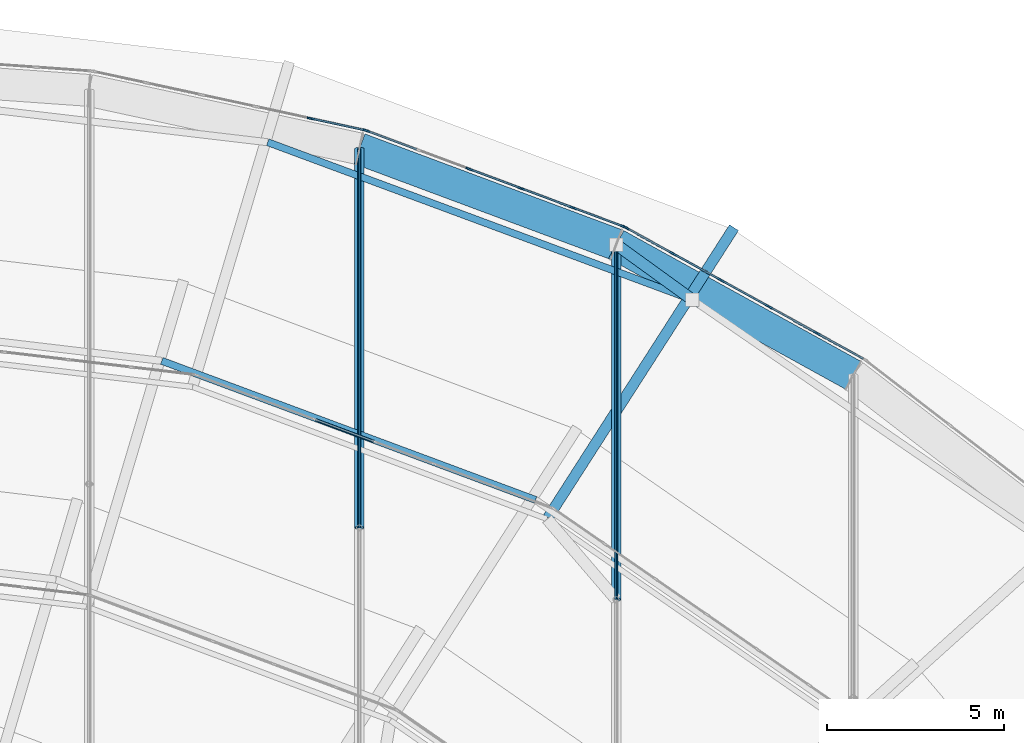
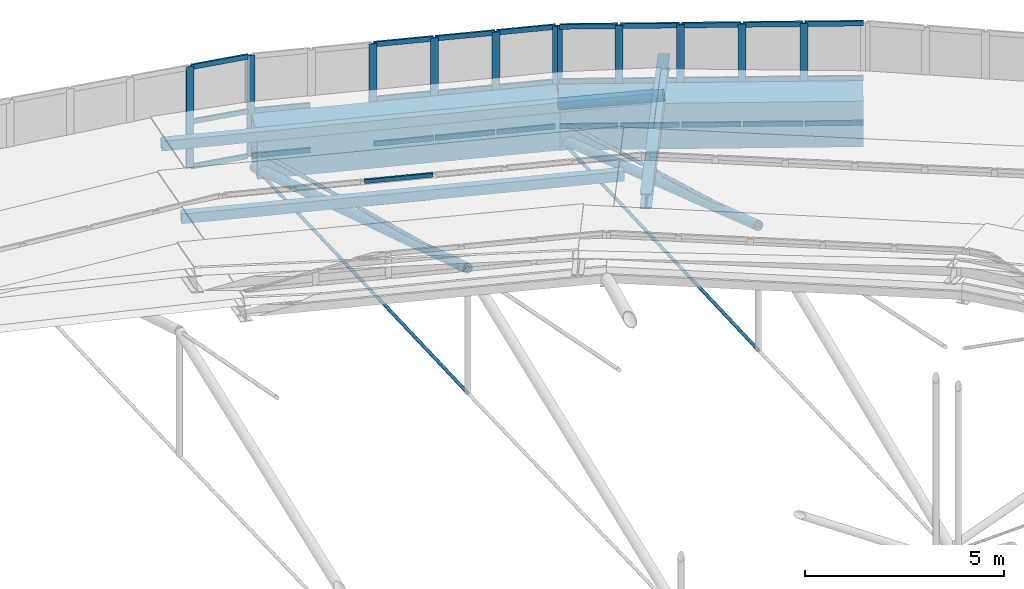
# One storey, part 122 of 173: 52 members, 2 beams, 4 elements without a shape of their own.
"""IFC4 building model written with IfcOpenShell, lengths in metres."""

from ifc_helpers import new_model, si_unit, direction, frame, origin, origin_2d, place, context, subcontext, project, spatial, rectangle, hollow_rectangle, circle, hollow_circle, i_section, extrude, material, material_profile, profile_set, type_object, element, aggregate, save


model = new_model("IFC4")

# Units and contexts
model_context = context("Model", 3, precision=1e-05, world=origin(), true_north=direction((0.0, 1.0)))
body_context = subcontext(model_context, "Body", "Model", "MODEL_VIEW")
ifc_project = project(units=[si_unit("LENGTHUNIT", "METRE"), si_unit("AREAUNIT", "SQUARE_METRE"), si_unit("VOLUMEUNIT", "CUBIC_METRE"), si_unit("PLANEANGLEUNIT", "RADIAN"), si_unit("MASSUNIT", "GRAM", prefix="KILO")], contexts=[model_context])

# Site, building, storey
site_placement = place(None, origin())
site = spatial("IfcSite", under=ifc_project, at=site_placement, CompositionType="ELEMENT")
building_placement = place(site_placement, origin())
building = spatial("IfcBuilding", under=site, at=building_placement, Name="Glasvene Arena", CompositionType="ELEMENT")
storey_placement = place(building_placement, frame((0.0, 0.0, 28.800048828125)))
storey = spatial("IfcBuildingStorey", under=building, at=storey_placement, Name="RF", CompositionType="ELEMENT", Elevation=28.800048828125)

# Beams
ifc_material_1 = material(Name="Steel S355J2", Category="steel")
ifc_material_profile_1 = material_profile(ifc_material_1, hollow_rectangle(XDim=0.89990234375, YDim=1.39990234375, WallThickness=0.034912109375, at=origin_2d()), Name="WBOX 900x1400x35")
ifc_profile_set_1 = profile_set([ifc_material_profile_1], Name="Steel S355J2")
beam_type = type_object("IfcBeamType", Name="BM-RING-BOX1400", PredefinedType="USERDEFINED", material=ifc_profile_set_1)
beam_1_placement = place(storey_placement, frame((121.389404296875, 109.40576171875, -0.699951171875), z_axis=(-0.875663430497, 0.482921894813, 0.0), x_axis=(-0.482921894813, -0.875663430497, 0.0)))
element("IfcBeam", 1, at=beam_1_placement, inside=storey, type_object=beam_type, Name="Compression ring beam chord RB-07", ObjectType="RING BEAM", PredefinedType="USERDEFINED", context=body_context, shape_type="SweptSolid", body=[
    extrude(hollow_rectangle(XDim=0.89990234375, YDim=1.39990234375, WallThickness=0.034912109375, at=origin_2d()), origin(), (0.0, 0.0, 1.0), 7.639892578125),
])
beam_2_placement = place(storey_placement, frame((114.699462890625, 113.09521484375, -0.699951171875), z_axis=(-0.937003141372, 0.349320931321, 0.0), x_axis=(-0.349320931321, -0.937003141372, 0.0)))
element("IfcBeam", 2, at=beam_2_placement, inside=storey, type_object=beam_type, Name="Compression ring beam chord RB-08", ObjectType="RING BEAM", PredefinedType="USERDEFINED", context=body_context, shape_type="SweptSolid", body=[
    extrude(hollow_rectangle(XDim=0.89990234375, YDim=1.39990234375, WallThickness=0.034912109375, at=origin_2d()), origin(), (0.0, 0.0, 1.0), 7.736083984375),
])

# Curtain wall, members
ifc_material_2 = material(Name="Low-emissivity laminated double glazing", Category="glass")
curtain_wall_type_1 = type_object("IfcCurtainWallType", Name="CW-DRUM-773x310", PredefinedType="USERDEFINED", material=ifc_material_2)
curtain_wall_1_placement = place(storey_placement, frame((121.71240234375, 109.8505859375, 0.0)))
curtain_wall_1 = element("IfcCurtainWall", 3, at=curtain_wall_1_placement, inside=storey, type_object=curtain_wall_type_1, Name="Crown compression-ring fascia curtain wall 07", ObjectType="CURTAIN WALL", PredefinedType="USERDEFINED")
ifc_material_3 = material(Name="Anodised architectural aluminium", Category="aluminium")
ifc_material_profile_2 = material_profile(ifc_material_3, rectangle(XDim=0.050048828125, YDim=0.199951171875, at=origin_2d()), Name="ALU MULLION 50x200")
ifc_profile_set_2 = profile_set([ifc_material_profile_2], Name="Anodised architectural aluminium")
member_type_1 = type_object("IfcMemberType", Name="CW-MUL-180", PredefinedType="MULLION", material=ifc_profile_set_2)
member_1_placement = place(storey_placement, frame((120.35986328125, 110.59765625, -1.380126953125), z_axis=(0.0, 0.0, 1.0), x_axis=(-0.483387319086, -0.875406591103, 0.0)))
member_1 = element("IfcMember", 4, at=member_1_placement, type_object=member_type_1, Name="CW-077 mullion 2", PredefinedType="MULLION", context=body_context, shape_type="SweptSolid", body=[
    extrude(rectangle(XDim=0.050048828125, YDim=0.199951171875, at=origin_2d()), origin(), (0.0, 0.0, 1.0), 3.10009765625),
])
member_2_placement = place(storey_placement, frame((119.007080078125, 111.344482421875, -1.380126953125), z_axis=(0.0, 0.0, 1.0), x_axis=(-0.483387319086, -0.875406591103, 0.0)))
member_2 = element("IfcMember", 5, at=member_2_placement, type_object=member_type_1, Name="CW-077 mullion 3", PredefinedType="MULLION", context=body_context, shape_type="SweptSolid", body=[
    extrude(rectangle(XDim=0.050048828125, YDim=0.199951171875, at=origin_2d()), origin(), (0.0, 0.0, 1.0), 3.10009765625),
])
member_3_placement = place(storey_placement, frame((117.654541015625, 112.091552734375, -1.380126953125), z_axis=(0.0, 0.0, 1.0), x_axis=(-0.483387319086, -0.875406591103, 0.0)))
member_3 = element("IfcMember", 6, at=member_3_placement, type_object=member_type_1, Name="CW-077 mullion 4", PredefinedType="MULLION", context=body_context, shape_type="SweptSolid", body=[
    extrude(rectangle(XDim=0.050048828125, YDim=0.199951171875, at=origin_2d()), origin(), (0.0, 0.0, 1.0), 3.10009765625),
])
member_4_placement = place(storey_placement, frame((116.3017578125, 112.83837890625, -1.380126953125), z_axis=(0.0, 0.0, 1.0), x_axis=(-0.483387319086, -0.875406591103, 0.0)))
member_4 = element("IfcMember", 7, at=member_4_placement, type_object=member_type_1, Name="CW-077 mullion 5", PredefinedType="MULLION", context=body_context, shape_type="SweptSolid", body=[
    extrude(rectangle(XDim=0.050048828125, YDim=0.199951171875, at=origin_2d()), origin(), (0.0, 0.0, 1.0), 3.10009765625),
])
member_5_placement = place(storey_placement, frame((114.97119140625, 113.5732421875, -1.380126953125), z_axis=(0.0, 0.0, 1.0), x_axis=(-0.483387319086, -0.875406591103, 0.0)))
member_5 = element("IfcMember", 8, at=member_5_placement, type_object=member_type_1, Name="CW-077 mullion 6", PredefinedType="MULLION", context=body_context, shape_type="SweptSolid", body=[
    extrude(rectangle(XDim=0.050048828125, YDim=0.199951171875, at=origin_2d()), origin(), (0.0, 0.0, 1.0), 3.10009765625),
])

curtain_wall_type_2 = type_object("IfcCurtainWallType", Name="CW-DRUM-782x310", PredefinedType="USERDEFINED", material=ifc_material_2)
curtain_wall_2_placement = place(storey_placement, frame((114.94921875, 113.585205078125, 0.0)))
curtain_wall_2 = element("IfcCurtainWall", 9, at=curtain_wall_2_placement, inside=storey, type_object=curtain_wall_type_2, Name="Crown compression-ring fascia curtain wall 08", ObjectType="CURTAIN WALL", PredefinedType="USERDEFINED")
member_6_placement = place(storey_placement, frame((114.92578125, 113.593994140625, -1.380126953125), z_axis=(0.0, 0.0, 1.0), x_axis=(-0.349682803856, -0.936868153311, 0.0)))
member_6 = element("IfcMember", 10, at=member_6_placement, type_object=member_type_1, Name="CW-078 mullion 1", PredefinedType="MULLION", context=body_context, shape_type="SweptSolid", body=[
    extrude(rectangle(XDim=0.050048828125, YDim=0.199951171875, at=origin_2d()), origin(), (0.0, 0.0, 1.0), 3.10009765625),
])
member_7_placement = place(storey_placement, frame((113.4833984375, 114.13232421875, -1.380126953125), z_axis=(0.0, 0.0, 1.0), x_axis=(-0.349682803856, -0.936868153311, 0.0)))
member_7 = element("IfcMember", 11, at=member_7_placement, type_object=member_type_1, Name="CW-078 mullion 2", PredefinedType="MULLION", context=body_context, shape_type="SweptSolid", body=[
    extrude(rectangle(XDim=0.050048828125, YDim=0.199951171875, at=origin_2d()), origin(), (0.0, 0.0, 1.0), 3.10009765625),
])
member_8_placement = place(storey_placement, frame((112.017822265625, 114.679443359375, -1.380126953125), z_axis=(0.0, 0.0, 1.0), x_axis=(-0.349682803856, -0.936868153311, 0.0)))
member_8 = element("IfcMember", 12, at=member_8_placement, type_object=member_type_1, Name="CW-078 mullion 3", PredefinedType="MULLION", context=body_context, shape_type="SweptSolid", body=[
    extrude(rectangle(XDim=0.050048828125, YDim=0.199951171875, at=origin_2d()), origin(), (0.0, 0.0, 1.0), 3.10009765625),
])
member_9_placement = place(storey_placement, frame((110.55224609375, 115.2265625, -1.380126953125), z_axis=(0.0, 0.0, 1.0), x_axis=(-0.349682803856, -0.936868153311, 0.0)))
member_9 = element("IfcMember", 13, at=member_9_placement, type_object=member_type_1, Name="CW-078 mullion 4", PredefinedType="MULLION", context=body_context, shape_type="SweptSolid", body=[
    extrude(rectangle(XDim=0.050048828125, YDim=0.199951171875, at=origin_2d()), origin(), (0.0, 0.0, 1.0), 3.10009765625),
])
member_10_placement = place(storey_placement, frame((107.644287109375, 116.311767578125, -1.380126953125), z_axis=(0.0, 0.0, 1.0), x_axis=(-0.349682803856, -0.936868153311, 0.0)))
member_10 = element("IfcMember", 14, at=member_10_placement, type_object=member_type_1, Name="CW-078 mullion 6", PredefinedType="MULLION", context=body_context, shape_type="SweptSolid", body=[
    extrude(rectangle(XDim=0.050048828125, YDim=0.199951171875, at=origin_2d()), origin(), (0.0, 0.0, 1.0), 3.10009765625),
])

# Curtain wall, member
curtain_wall_type_3 = type_object("IfcCurtainWallType", Name="CW-DRUM-789x310", PredefinedType="USERDEFINED", material=ifc_material_2)
curtain_wall_3_placement = place(storey_placement, frame((107.620849609375, 116.320556640625, 0.0)))
curtain_wall_3 = element("IfcCurtainWall", 15, at=curtain_wall_3_placement, inside=storey, type_object=curtain_wall_type_3, Name="Crown compression-ring fascia curtain wall 09", ObjectType="CURTAIN WALL", PredefinedType="USERDEFINED")
member_11_placement = place(storey_placement, frame((106.078125, 116.654296875, -1.380126953125), z_axis=(0.0, 0.0, 1.0), x_axis=(-0.211444690135, -0.977389964658, 0.0)))
member_11 = element("IfcMember", 16, at=member_11_placement, type_object=member_type_1, Name="CW-079 mullion 2", PredefinedType="MULLION", context=body_context, shape_type="SweptSolid", body=[
    extrude(rectangle(XDim=0.050048828125, YDim=0.199951171875, at=origin_2d()), origin(), (0.0, 0.0, 1.0), 3.10009765625),
])

# Curtain wall, members
curtain_wall_type_4 = type_object("IfcCurtainWallType", Name="CW-PET1-1077x75", PredefinedType="USERDEFINED", material=ifc_material_2)
curtain_wall_4_placement = place(storey_placement, frame((112.925048828125, 105.649169921875, 0.0)))
curtain_wall_4 = element("IfcCurtainWall", 17, at=curtain_wall_4_placement, inside=storey, type_object=curtain_wall_type_4, Name="Petal ring 1-2 clerestory curtain wall 05", ObjectType="CURTAIN WALL", PredefinedType="USERDEFINED")
ifc_material_profile_3 = material_profile(ifc_material_3, rectangle(XDim=0.050048828125, YDim=0.1201171875, at=origin_2d()), Name="ALU TRANSOM 50x120")
ifc_profile_set_3 = profile_set([ifc_material_profile_3], Name="Anodised architectural aluminium")
member_type_2 = type_object("IfcMemberType", Name="CW-TRN-120", PredefinedType="USERDEFINED", material=ifc_profile_set_3)
member_12_placement = place(storey_placement, frame((107.85498046875, 107.541015625, 2.60498046875), z_axis=(-0.936885499629, 0.349636326179, 0.0), x_axis=(-0.349636326179, -0.936885499629, 0.0)))
member_12 = element("IfcMember", 18, at=member_12_placement, type_object=member_type_2, Name="CW-085 transom 4.1", ObjectType="TRANSOM", PredefinedType="USERDEFINED", context=body_context, shape_type="SweptSolid", body=[
    extrude(rectangle(XDim=0.050048828125, YDim=0.1201171875, at=origin_2d()), origin(), (0.0, 0.0, 1.0), 1.74560546875),
])
member_13_placement = place(storey_placement, frame((107.85498046875, 107.541015625, 3.304931640625), z_axis=(-0.936885499629, 0.349636326179, 0.0), x_axis=(-0.349636326179, -0.936885499629, 0.0)))
member_13 = element("IfcMember", 19, at=member_13_placement, type_object=member_type_2, Name="CW-085 transom 4.2", ObjectType="TRANSOM", PredefinedType="USERDEFINED", context=body_context, shape_type="SweptSolid", body=[
    extrude(rectangle(XDim=0.050048828125, YDim=0.1201171875, at=origin_2d()), origin(), (0.0, 0.0, 1.0), 1.74560546875),
])
aggregate(curtain_wall_4, [member_12, member_13])

# Member
ifc_material_profile_4 = material_profile(ifc_material_3, rectangle(XDim=0.050048828125, YDim=0.14990234375, at=origin_2d()), Name="ALU TRANSOM 50x150")
ifc_profile_set_4 = profile_set([ifc_material_profile_4], Name="Anodised architectural aluminium")
member_type_3 = type_object("IfcMemberType", Name="CW-TRN-150", PredefinedType="USERDEFINED", material=ifc_profile_set_4)
member_14_placement = place(storey_placement, frame((121.668701171875, 109.874755859375, -1.35498046875), z_axis=(-0.875376563169, 0.483441695197, 0.0), x_axis=(-0.483441695197, -0.875376563169, 0.0)))
member_14 = element("IfcMember", 20, at=member_14_placement, type_object=member_type_3, Name="CW-077 transom 1.1", ObjectType="TRANSOM", PredefinedType="USERDEFINED", context=body_context, shape_type="SweptSolid", body=[
    extrude(rectangle(XDim=0.050048828125, YDim=0.14990234375, at=origin_2d()), origin(), (0.0, 0.0, 1.0), 1.469970703125),
])

member_15_placement = place(storey_placement, frame((121.668701171875, 109.874755859375, 0.02001953125), z_axis=(-0.875376563169, 0.483441695197, 0.0), x_axis=(-0.483441695197, -0.875376563169, 0.0)))
member_15 = element("IfcMember", 21, at=member_15_placement, type_object=member_type_3, Name="CW-077 transom 1.2", ObjectType="TRANSOM", PredefinedType="USERDEFINED", context=body_context, shape_type="SweptSolid", body=[
    extrude(rectangle(XDim=0.050048828125, YDim=0.14990234375, at=origin_2d()), origin(), (0.0, 0.0, 1.0), 1.469970703125),
])

member_16_placement = place(storey_placement, frame((121.668701171875, 109.874755859375, 1.695068359375), z_axis=(-0.875376563169, 0.483441695197, 0.0), x_axis=(-0.483441695197, -0.875376563169, 0.0)))
member_16 = element("IfcMember", 22, at=member_16_placement, type_object=member_type_3, Name="CW-077 transom 1.3", ObjectType="TRANSOM", PredefinedType="USERDEFINED", context=body_context, shape_type="SweptSolid", body=[
    extrude(rectangle(XDim=0.050048828125, YDim=0.14990234375, at=origin_2d()), origin(), (0.0, 0.0, 1.0), 1.469970703125),
])

member_17_placement = place(storey_placement, frame((120.337890625, 110.609619140625, -1.35498046875), z_axis=(-0.87535611162, 0.483478725332, 0.0), x_axis=(-0.483478725332, -0.87535611162, 0.0)))
member_17 = element("IfcMember", 23, at=member_17_placement, type_object=member_type_3, Name="CW-077 transom 2.1", ObjectType="TRANSOM", PredefinedType="USERDEFINED", context=body_context, shape_type="SweptSolid", body=[
    extrude(rectangle(XDim=0.050048828125, YDim=0.14990234375, at=origin_2d()), origin(), (0.0, 0.0, 1.0), 1.4951171875),
])

member_18_placement = place(storey_placement, frame((120.337890625, 110.609619140625, 0.02001953125), z_axis=(-0.87535611162, 0.483478725332, 0.0), x_axis=(-0.483478725332, -0.87535611162, 0.0)))
member_18 = element("IfcMember", 24, at=member_18_placement, type_object=member_type_3, Name="CW-077 transom 2.2", ObjectType="TRANSOM", PredefinedType="USERDEFINED", context=body_context, shape_type="SweptSolid", body=[
    extrude(rectangle(XDim=0.050048828125, YDim=0.14990234375, at=origin_2d()), origin(), (0.0, 0.0, 1.0), 1.4951171875),
])

member_19_placement = place(storey_placement, frame((120.337890625, 110.609619140625, 1.695068359375), z_axis=(-0.87535611162, 0.483478725332, 0.0), x_axis=(-0.483478725332, -0.87535611162, 0.0)))
member_19 = element("IfcMember", 25, at=member_19_placement, type_object=member_type_3, Name="CW-077 transom 2.3", ObjectType="TRANSOM", PredefinedType="USERDEFINED", context=body_context, shape_type="SweptSolid", body=[
    extrude(rectangle(XDim=0.050048828125, YDim=0.14990234375, at=origin_2d()), origin(), (0.0, 0.0, 1.0), 1.4951171875),
])

member_20_placement = place(storey_placement, frame((118.9853515625, 111.356689453125, -1.35498046875), z_axis=(-0.8754252118, 0.483353595771, 0.0), x_axis=(-0.483353595771, -0.8754252118, 0.0)))
member_20 = element("IfcMember", 26, at=member_20_placement, type_object=member_type_3, Name="CW-077 transom 3.1", ObjectType="TRANSOM", PredefinedType="USERDEFINED", context=body_context, shape_type="SweptSolid", body=[
    extrude(rectangle(XDim=0.050048828125, YDim=0.14990234375, at=origin_2d()), origin(), (0.0, 0.0, 1.0), 1.4951171875),
])

member_21_placement = place(storey_placement, frame((118.9853515625, 111.356689453125, 0.02001953125), z_axis=(-0.8754252118, 0.483353595771, 0.0), x_axis=(-0.483353595771, -0.8754252118, 0.0)))
member_21 = element("IfcMember", 27, at=member_21_placement, type_object=member_type_3, Name="CW-077 transom 3.2", ObjectType="TRANSOM", PredefinedType="USERDEFINED", context=body_context, shape_type="SweptSolid", body=[
    extrude(rectangle(XDim=0.050048828125, YDim=0.14990234375, at=origin_2d()), origin(), (0.0, 0.0, 1.0), 1.4951171875),
])

member_22_placement = place(storey_placement, frame((118.9853515625, 111.356689453125, 1.695068359375), z_axis=(-0.8754252118, 0.483353595771, 0.0), x_axis=(-0.483353595771, -0.8754252118, 0.0)))
member_22 = element("IfcMember", 28, at=member_22_placement, type_object=member_type_3, Name="CW-077 transom 3.3", ObjectType="TRANSOM", PredefinedType="USERDEFINED", context=body_context, shape_type="SweptSolid", body=[
    extrude(rectangle(XDim=0.050048828125, YDim=0.14990234375, at=origin_2d()), origin(), (0.0, 0.0, 1.0), 1.4951171875),
])

member_23_placement = place(storey_placement, frame((117.632568359375, 112.103515625, -1.35498046875), z_axis=(-0.87535611162, 0.483478725332, 0.0), x_axis=(-0.483478725332, -0.87535611162, 0.0)))
member_23 = element("IfcMember", 29, at=member_23_placement, type_object=member_type_3, Name="CW-077 transom 4.1", ObjectType="TRANSOM", PredefinedType="USERDEFINED", context=body_context, shape_type="SweptSolid", body=[
    extrude(rectangle(XDim=0.050048828125, YDim=0.14990234375, at=origin_2d()), origin(), (0.0, 0.0, 1.0), 1.4951171875),
])

member_24_placement = place(storey_placement, frame((117.632568359375, 112.103515625, 0.02001953125), z_axis=(-0.87535611162, 0.483478725332, 0.0), x_axis=(-0.483478725332, -0.87535611162, 0.0)))
member_24 = element("IfcMember", 30, at=member_24_placement, type_object=member_type_3, Name="CW-077 transom 4.2", ObjectType="TRANSOM", PredefinedType="USERDEFINED", context=body_context, shape_type="SweptSolid", body=[
    extrude(rectangle(XDim=0.050048828125, YDim=0.14990234375, at=origin_2d()), origin(), (0.0, 0.0, 1.0), 1.4951171875),
])

member_25_placement = place(storey_placement, frame((117.632568359375, 112.103515625, 1.695068359375), z_axis=(-0.87535611162, 0.483478725332, 0.0), x_axis=(-0.483478725332, -0.87535611162, 0.0)))
member_25 = element("IfcMember", 31, at=member_25_placement, type_object=member_type_3, Name="CW-077 transom 4.3", ObjectType="TRANSOM", PredefinedType="USERDEFINED", context=body_context, shape_type="SweptSolid", body=[
    extrude(rectangle(XDim=0.050048828125, YDim=0.14990234375, at=origin_2d()), origin(), (0.0, 0.0, 1.0), 1.4951171875),
])

member_26_placement = place(storey_placement, frame((116.280029296875, 112.8505859375, -1.35498046875), z_axis=(-0.875485629415, 0.483244154324, 0.0), x_axis=(-0.483244154324, -0.875485629415, 0.0)))
member_26 = element("IfcMember", 32, at=member_26_placement, type_object=member_type_3, Name="CW-077 transom 5.1", ObjectType="TRANSOM", PredefinedType="USERDEFINED", context=body_context, shape_type="SweptSolid", body=[
    extrude(rectangle(XDim=0.050048828125, YDim=0.14990234375, at=origin_2d()), origin(), (0.0, 0.0, 1.0), 1.47021484375),
])

member_27_placement = place(storey_placement, frame((116.280029296875, 112.8505859375, 0.02001953125), z_axis=(-0.875485629415, 0.483244154324, 0.0), x_axis=(-0.483244154324, -0.875485629415, 0.0)))
member_27 = element("IfcMember", 33, at=member_27_placement, type_object=member_type_3, Name="CW-077 transom 5.2", ObjectType="TRANSOM", PredefinedType="USERDEFINED", context=body_context, shape_type="SweptSolid", body=[
    extrude(rectangle(XDim=0.050048828125, YDim=0.14990234375, at=origin_2d()), origin(), (0.0, 0.0, 1.0), 1.47021484375),
])

member_28_placement = place(storey_placement, frame((116.280029296875, 112.8505859375, 1.695068359375), z_axis=(-0.875485629415, 0.483244154324, 0.0), x_axis=(-0.483244154324, -0.875485629415, 0.0)))
member_28 = element("IfcMember", 34, at=member_28_placement, type_object=member_type_3, Name="CW-077 transom 5.3", ObjectType="TRANSOM", PredefinedType="USERDEFINED", context=body_context, shape_type="SweptSolid", body=[
    extrude(rectangle(XDim=0.050048828125, YDim=0.14990234375, at=origin_2d()), origin(), (0.0, 0.0, 1.0), 1.47021484375),
])

aggregate(curtain_wall_1, [member_1, member_2, member_3, member_4, member_5, member_14, member_15, member_16, member_17, member_18, member_19, member_20, member_21, member_22, member_23, member_24, member_25, member_26, member_27, member_28])

member_29_placement = place(storey_placement, frame((114.90234375, 113.602783203125, -1.35498046875), z_axis=(-0.936893778627, 0.349614140975, 0.0), x_axis=(-0.349614140975, -0.936893778627, 0.0)))
member_29 = element("IfcMember", 35, at=member_29_placement, type_object=member_type_3, Name="CW-078 transom 1.1", ObjectType="TRANSOM", PredefinedType="USERDEFINED", context=body_context, shape_type="SweptSolid", body=[
    extrude(rectangle(XDim=0.050048828125, YDim=0.14990234375, at=origin_2d()), origin(), (0.0, 0.0, 1.0), 1.489501953125),
])

member_30_placement = place(storey_placement, frame((114.90234375, 113.602783203125, 0.02001953125), z_axis=(-0.936893778627, 0.349614140975, 0.0), x_axis=(-0.349614140975, -0.936893778627, 0.0)))
member_30 = element("IfcMember", 36, at=member_30_placement, type_object=member_type_3, Name="CW-078 transom 1.2", ObjectType="TRANSOM", PredefinedType="USERDEFINED", context=body_context, shape_type="SweptSolid", body=[
    extrude(rectangle(XDim=0.050048828125, YDim=0.14990234375, at=origin_2d()), origin(), (0.0, 0.0, 1.0), 1.489501953125),
])

member_31_placement = place(storey_placement, frame((114.90234375, 113.602783203125, 1.695068359375), z_axis=(-0.936893778627, 0.349614140975, 0.0), x_axis=(-0.349614140975, -0.936893778627, 0.0)))
member_31 = element("IfcMember", 37, at=member_31_placement, type_object=member_type_3, Name="CW-078 transom 1.3", ObjectType="TRANSOM", PredefinedType="USERDEFINED", context=body_context, shape_type="SweptSolid", body=[
    extrude(rectangle(XDim=0.050048828125, YDim=0.14990234375, at=origin_2d()), origin(), (0.0, 0.0, 1.0), 1.489501953125),
])

member_32_placement = place(storey_placement, frame((113.460205078125, 114.14111328125, -1.35498046875), z_axis=(-0.936884467043, 0.349639093086, 0.0), x_axis=(-0.349639093086, -0.936884467043, 0.0)))
member_32 = element("IfcMember", 38, at=member_32_placement, type_object=member_type_3, Name="CW-078 transom 2.1", ObjectType="TRANSOM", PredefinedType="USERDEFINED", context=body_context, shape_type="SweptSolid", body=[
    extrude(rectangle(XDim=0.050048828125, YDim=0.14990234375, at=origin_2d()), origin(), (0.0, 0.0, 1.0), 1.5146484375),
])

member_33_placement = place(storey_placement, frame((113.460205078125, 114.14111328125, 0.02001953125), z_axis=(-0.936884467043, 0.349639093086, 0.0), x_axis=(-0.349639093086, -0.936884467043, 0.0)))
member_33 = element("IfcMember", 39, at=member_33_placement, type_object=member_type_3, Name="CW-078 transom 2.2", ObjectType="TRANSOM", PredefinedType="USERDEFINED", context=body_context, shape_type="SweptSolid", body=[
    extrude(rectangle(XDim=0.050048828125, YDim=0.14990234375, at=origin_2d()), origin(), (0.0, 0.0, 1.0), 1.5146484375),
])

member_34_placement = place(storey_placement, frame((113.460205078125, 114.14111328125, 1.695068359375), z_axis=(-0.936884467043, 0.349639093086, 0.0), x_axis=(-0.349639093086, -0.936884467043, 0.0)))
member_34 = element("IfcMember", 40, at=member_34_placement, type_object=member_type_3, Name="CW-078 transom 2.3", ObjectType="TRANSOM", PredefinedType="USERDEFINED", context=body_context, shape_type="SweptSolid", body=[
    extrude(rectangle(XDim=0.050048828125, YDim=0.14990234375, at=origin_2d()), origin(), (0.0, 0.0, 1.0), 1.5146484375),
])

member_35_placement = place(storey_placement, frame((111.994384765625, 114.688232421875, -1.35498046875), z_axis=(-0.93686475649, 0.349691904462, 0.0), x_axis=(-0.349691904462, -0.93686475649, 0.0)))
member_35 = element("IfcMember", 41, at=member_35_placement, type_object=member_type_3, Name="CW-078 transom 3.1", ObjectType="TRANSOM", PredefinedType="USERDEFINED", context=body_context, shape_type="SweptSolid", body=[
    extrude(rectangle(XDim=0.050048828125, YDim=0.14990234375, at=origin_2d()), origin(), (0.0, 0.0, 1.0), 1.514404296875),
])

member_36_placement = place(storey_placement, frame((111.994384765625, 114.688232421875, 0.02001953125), z_axis=(-0.93686475649, 0.349691904462, 0.0), x_axis=(-0.349691904462, -0.93686475649, 0.0)))
member_36 = element("IfcMember", 42, at=member_36_placement, type_object=member_type_3, Name="CW-078 transom 3.2", ObjectType="TRANSOM", PredefinedType="USERDEFINED", context=body_context, shape_type="SweptSolid", body=[
    extrude(rectangle(XDim=0.050048828125, YDim=0.14990234375, at=origin_2d()), origin(), (0.0, 0.0, 1.0), 1.514404296875),
])

member_37_placement = place(storey_placement, frame((111.994384765625, 114.688232421875, 1.695068359375), z_axis=(-0.93686475649, 0.349691904462, 0.0), x_axis=(-0.349691904462, -0.93686475649, 0.0)))
member_37 = element("IfcMember", 43, at=member_37_placement, type_object=member_type_3, Name="CW-078 transom 3.3", ObjectType="TRANSOM", PredefinedType="USERDEFINED", context=body_context, shape_type="SweptSolid", body=[
    extrude(rectangle(XDim=0.050048828125, YDim=0.14990234375, at=origin_2d()), origin(), (0.0, 0.0, 1.0), 1.514404296875),
])

member_38_placement = place(storey_placement, frame((109.06298828125, 115.7822265625, -1.35498046875), z_axis=(-0.936820028277, 0.349811713096, 0.0), x_axis=(-0.349811713096, -0.936820028277, 0.0)))
member_38 = element("IfcMember", 44, at=member_38_placement, type_object=member_type_3, Name="CW-078 transom 5.1", ObjectType="TRANSOM", PredefinedType="USERDEFINED", context=body_context, shape_type="SweptSolid", body=[
    extrude(rectangle(XDim=0.050048828125, YDim=0.14990234375, at=origin_2d()), origin(), (0.0, 0.0, 1.0), 1.4892578125),
])

member_39_placement = place(storey_placement, frame((109.06298828125, 115.7822265625, 0.02001953125), z_axis=(-0.936820028277, 0.349811713096, 0.0), x_axis=(-0.349811713096, -0.936820028277, 0.0)))
member_39 = element("IfcMember", 45, at=member_39_placement, type_object=member_type_3, Name="CW-078 transom 5.2", ObjectType="TRANSOM", PredefinedType="USERDEFINED", context=body_context, shape_type="SweptSolid", body=[
    extrude(rectangle(XDim=0.050048828125, YDim=0.14990234375, at=origin_2d()), origin(), (0.0, 0.0, 1.0), 1.4892578125),
])

aggregate(curtain_wall_2, [member_6, member_7, member_8, member_9, member_10, member_29, member_30, member_31, member_32, member_33, member_34, member_35, member_36, member_37, member_38, member_39])

member_40_placement = place(storey_placement, frame((107.572021484375, 116.3310546875, -1.35498046875), z_axis=(-0.977394217104, 0.211425032509, 0.0), x_axis=(-0.211425032509, -0.977394217104, 0.0)))
member_40 = element("IfcMember", 46, at=member_40_placement, type_object=member_type_3, Name="CW-079 transom 1.1", ObjectType="TRANSOM", PredefinedType="USERDEFINED", context=body_context, shape_type="SweptSolid", body=[
    extrude(rectangle(XDim=0.050048828125, YDim=0.14990234375, at=origin_2d()), origin(), (0.0, 0.0, 1.0), 1.50341796875),
])

member_41_placement = place(storey_placement, frame((107.572021484375, 116.3310546875, 0.02001953125), z_axis=(-0.977394217104, 0.211425032509, 0.0), x_axis=(-0.211425032509, -0.977394217104, 0.0)))
member_41 = element("IfcMember", 47, at=member_41_placement, type_object=member_type_3, Name="CW-079 transom 1.2", ObjectType="TRANSOM", PredefinedType="USERDEFINED", context=body_context, shape_type="SweptSolid", body=[
    extrude(rectangle(XDim=0.050048828125, YDim=0.14990234375, at=origin_2d()), origin(), (0.0, 0.0, 1.0), 1.50341796875),
])

member_42_placement = place(storey_placement, frame((107.572021484375, 116.3310546875, 1.695068359375), z_axis=(-0.977394217104, 0.211425032509, 0.0), x_axis=(-0.211425032509, -0.977394217104, 0.0)))
member_42 = element("IfcMember", 48, at=member_42_placement, type_object=member_type_3, Name="CW-079 transom 1.3", ObjectType="TRANSOM", PredefinedType="USERDEFINED", context=body_context, shape_type="SweptSolid", body=[
    extrude(rectangle(XDim=0.050048828125, YDim=0.14990234375, at=origin_2d()), origin(), (0.0, 0.0, 1.0), 1.50341796875),
])

aggregate(curtain_wall_3, [member_11, member_40, member_41, member_42])

# Members
ifc_material_4 = material(Name="High-strength steel spiral strand S460", Category="steel")
ifc_material_profile_5 = material_profile(ifc_material_4, circle(Radius=0.052490234375, at=origin_2d()), Name="LCSS D105")
ifc_profile_set_5 = profile_set([ifc_material_profile_5], Name="High-strength steel spiral strand S460")
member_type_4 = type_object("IfcMemberType", Name="MB-CABLE-105", PredefinedType="USERDEFINED", material=ifc_profile_set_5)
member_43_placement = place(storey_placement, frame((114.699462890625, 103.071533203125, 2.06103515625), z_axis=(0.0, 0.962101011084, -0.27269331578), x_axis=(-1.0, 0.0, 0.0)))
element("IfcMember", 49, at=member_43_placement, inside=storey, type_object=member_type_4, Name="Upper lens roof cable NS02-08", ObjectType="ROOF CABLE", PredefinedType="USERDEFINED", context=body_context, shape_type="SweptSolid", body=[
    extrude(circle(Radius=0.052490234375, at=origin_2d()), origin(), (0.0, 0.0, 1.0), 10.41845703125),
])
member_44_placement = place(storey_placement, frame((107.45068359375, 105.09814453125, 2.06103515625), z_axis=(0.0, 0.966507096701, -0.256639887834), x_axis=(-1.0, 0.0, 0.0)))
element("IfcMember", 50, at=member_44_placement, inside=storey, type_object=member_type_4, Name="Upper lens roof cable NS03-08", ObjectType="ROOF CABLE", PredefinedType="USERDEFINED", context=body_context, shape_type="SweptSolid", body=[
    extrude(circle(Radius=0.052490234375, at=origin_2d()), origin(), (0.0, 0.0, 1.0), 11.0703125),
])
ifc_material_profile_6 = material_profile(ifc_material_4, circle(Radius=0.044921875, at=origin_2d()), Name="LCSS D90")
ifc_profile_set_6 = profile_set([ifc_material_profile_6], Name="High-strength steel spiral strand S460")
member_type_5 = type_object("IfcMemberType", Name="MB-CABLE-90", PredefinedType="USERDEFINED", material=ifc_profile_set_6)
member_45_placement = place(storey_placement, frame((114.699462890625, 103.071533203125, -1.753173828125), z_axis=(0.0, 0.999067829779, 0.043167945296), x_axis=(-1.0, 0.0, 0.0)))
element("IfcMember", 51, at=member_45_placement, inside=storey, type_object=member_type_5, Name="Lower stabilization roof cable NS02-08", ObjectType="ROOF CABLE", PredefinedType="USERDEFINED", context=body_context, shape_type="SweptSolid", body=[
    extrude(circle(Radius=0.044921875, at=origin_2d()), origin(), (0.0, 0.0, 1.0), 10.032958984375),
])
member_46_placement = place(storey_placement, frame((107.45068359375, 105.09814453125, -1.753173828125), z_axis=(0.0, 0.999181723513, 0.040446055391), x_axis=(-1.0, 0.0, 0.0)))
element("IfcMember", 52, at=member_46_placement, inside=storey, type_object=member_type_5, Name="Lower stabilization roof cable NS03-08", ObjectType="ROOF CABLE", PredefinedType="USERDEFINED", context=body_context, shape_type="SweptSolid", body=[
    extrude(circle(Radius=0.044921875, at=origin_2d()), origin(), (0.0, 0.0, 1.0), 10.708251953125),
])
ifc_material_profile_7 = material_profile(ifc_material_1, i_section(OverallWidth=0.300048828125, OverallDepth=0.39990234375, WebThickness=0.013427734375, FlangeThickness=0.02392578125, FilletRadius=0.027099609375, at=origin_2d()), Name="HEB 400")
ifc_profile_set_7 = profile_set([ifc_material_profile_7], Name="Steel S355J2")
member_type_6 = type_object("IfcMemberType", Name="MB-CHORD-HEB400", PredefinedType="CHORD", material=ifc_profile_set_7)
member_47_placement = place(storey_placement, frame((118.0, 113.530029296875, -0.400146484375), z_axis=(-0.522944416595, -0.815179491662, 0.24902115076), x_axis=(0.841694512894, -0.539954023009, 0.0)))
element("IfcMember", 53, at=member_47_placement, inside=storey, type_object=member_type_6, Name="Petal ring 1 radial rib 05", PredefinedType="CHORD", context=body_context, shape_type="SweptSolid", body=[
    extrude(i_section(OverallWidth=0.300048828125, OverallDepth=0.39990234375, WebThickness=0.013427734375, FlangeThickness=0.02392578125, FilletRadius=0.027099609375, at=origin_2d()), origin(), (0.0, 0.0, 1.0), 10.039306640625),
])
ifc_material_profile_8 = material_profile(ifc_material_1, hollow_circle(Radius=0.161865234375, WallThickness=0.01611328125, at=origin_2d()), Name="CHS 323.9x16.0")
ifc_profile_set_8 = profile_set([ifc_material_profile_8], Name="Steel S355J2")
member_type_7 = type_object("IfcMemberType", Name="MB-POST-CHS324", PredefinedType="BRACE", material=ifc_profile_set_8)
member_48_placement = place(storey_placement, frame((114.699462890625, 113.09521484375, -0.300048828125), z_axis=(0.797710559684, -0.577568163204, 0.173415339062), x_axis=(0.586453651283, 0.809982786791, 0.0)))
element("IfcMember", 54, at=member_48_placement, inside=storey, type_object=member_type_7, Name="Petal ring 1 outer support post 05", PredefinedType="BRACE", context=body_context, shape_type="SweptSolid", body=[
    extrude(hollow_circle(Radius=0.161865234375, WallThickness=0.01611328125, at=origin_2d()), origin(), (0.0, 0.0, 1.0), 2.696044921875),
])
ifc_material_profile_9 = material_profile(ifc_material_1, hollow_rectangle(XDim=0.199951171875, YDim=0.300048828125, WallThickness=0.012451171875, at=origin_2d()), Name="RHS 300x200x12.5")
ifc_profile_set_9 = profile_set([ifc_material_profile_9], Name="Steel S355J2")
member_type_8 = type_object("IfcMemberType", Name="MB-PURLIN-RHS300", PredefinedType="PURLIN", material=ifc_profile_set_9)
member_49_placement = place(storey_placement, frame((116.85009765625, 111.5380859375, 0.16748046875), z_axis=(-0.937595944785, 0.347726680488, 0.0), x_axis=(-0.347726680488, -0.937595944785, 0.0)))
element("IfcMember", 55, at=member_49_placement, inside=storey, type_object=member_type_8, Name="Petal ring 1 outer purlin 05", PredefinedType="PURLIN", context=body_context, shape_type="SweptSolid", body=[
    extrude(hollow_rectangle(XDim=0.199951171875, YDim=0.300048828125, WallThickness=0.012451171875, at=origin_2d()), origin(), (0.0, 0.0, 1.0), 12.78466796875),
])
member_50_placement = place(storey_placement, frame((112.425048828125, 105.884765625, 2.728515625), z_axis=(-0.937227949513, 0.348717321983, 0.0), x_axis=(-0.348717321983, -0.937227949513, 0.0)))
element("IfcMember", 56, at=member_50_placement, inside=storey, type_object=member_type_8, Name="Petal ring 2 outer purlin 05", PredefinedType="PURLIN", context=body_context, shape_type="SweptSolid", body=[
    extrude(hollow_rectangle(XDim=0.199951171875, YDim=0.300048828125, WallThickness=0.012451171875, at=origin_2d()), origin(), (0.0, 0.0, 1.0), 11.258544921875),
])
ifc_material_profile_10 = material_profile(ifc_material_1, hollow_circle(Radius=0.136474609375, WallThickness=0.012451171875, at=origin_2d()), Name="CHS 273.0x12.5")
ifc_profile_set_10 = profile_set([ifc_material_profile_10], Name="Steel S355J2")
member_type_9 = type_object("IfcMemberType", Name="MB-WEB-CHS273", PredefinedType="BRACE", material=ifc_profile_set_10)
member_51_placement = place(storey_placement, frame((114.699462890625, 103.071533203125, 2.06103515625), z_axis=(0.0, 0.947546370632, -0.319618327858), x_axis=(-1.0, 0.0, 0.0)))
element("IfcMember", 57, at=member_51_placement, inside=storey, type_object=member_type_9, Name="Cable-truss diagonal web strut NS02-08", PredefinedType="BRACE", context=body_context, shape_type="SweptSolid", body=[
    extrude(hollow_circle(Radius=0.136474609375, WallThickness=0.012451171875, at=origin_2d()), origin(), (0.0, 0.0, 1.0), 10.57861328125),
])
member_52_placement = place(storey_placement, frame((107.45068359375, 105.09814453125, 2.06103515625), z_axis=(0.0, 0.953523128468, -0.301319835851), x_axis=(-1.0, 0.0, 0.0)))
element("IfcMember", 58, at=member_52_placement, inside=storey, type_object=member_type_9, Name="Cable-truss diagonal web strut NS03-08", PredefinedType="BRACE", context=body_context, shape_type="SweptSolid", body=[
    extrude(hollow_circle(Radius=0.136474609375, WallThickness=0.012451171875, at=origin_2d()), origin(), (0.0, 0.0, 1.0), 11.220947265625),
])

save(model, "model.ifc")
